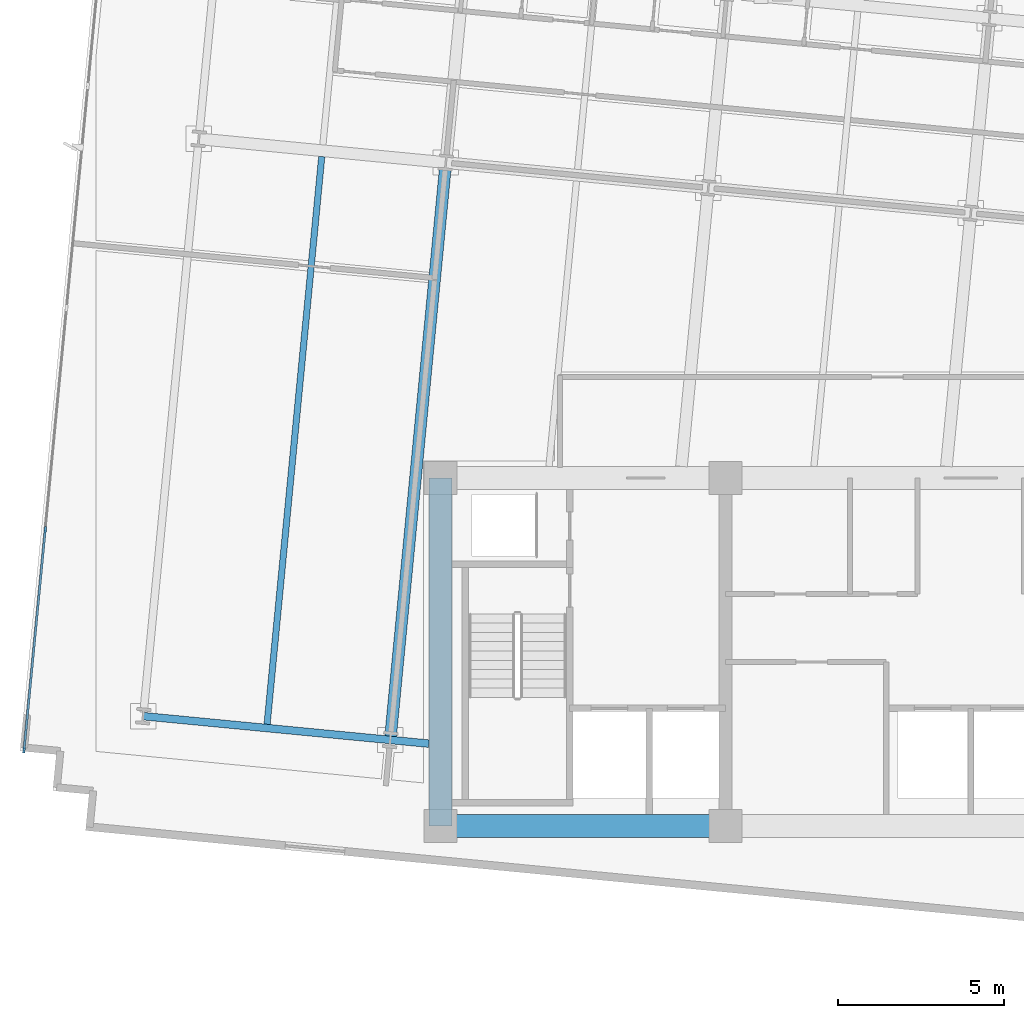
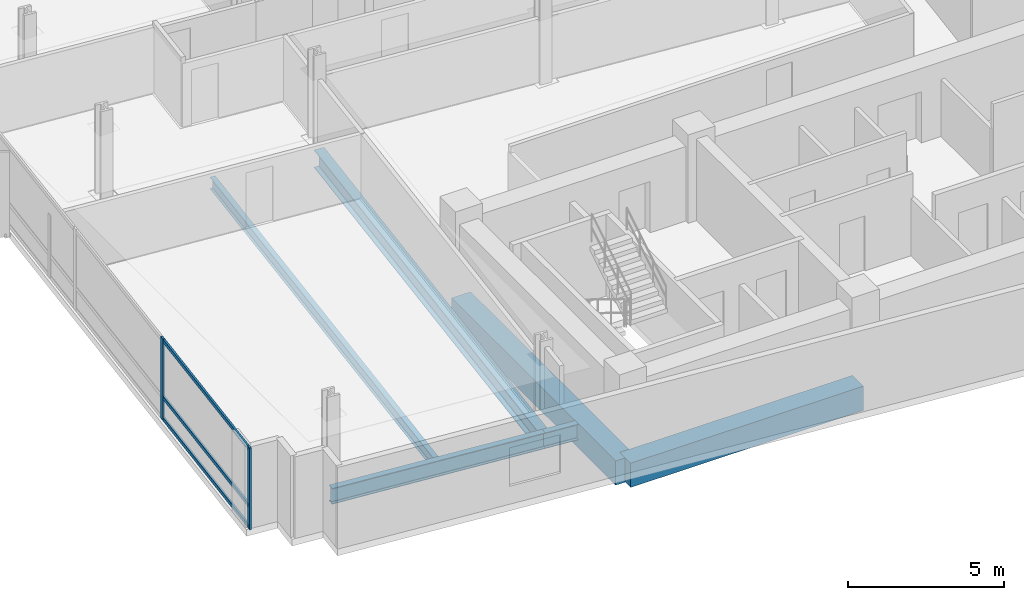
# One storey, part 2 of 17: 6 beams, 5 members, 1 element without a shape of its own.
"""IFC4 building model written with IfcOpenShell, lengths in metres."""

from ifc_helpers import new_model, si_unit, direction, frame, origin, origin_2d, place, context, subcontext, project, spatial, rectangle, i_section, extrude, material, material_profile, profile_set, type_object, element, aggregate, save


model = new_model("IFC4")

# Units and contexts
model_context = context("Model", 3, precision=1e-05, world=origin(), true_north=direction((0.0, 1.0)))
body_context = subcontext(model_context, "Body", "Model", "MODEL_VIEW")
ifc_project = project(units=[si_unit("LENGTHUNIT", "METRE"), si_unit("AREAUNIT", "SQUARE_METRE"), si_unit("VOLUMEUNIT", "CUBIC_METRE"), si_unit("PLANEANGLEUNIT", "RADIAN"), si_unit("MASSUNIT", "GRAM", prefix="KILO")], contexts=[model_context])

# Site, building, storey
site_placement = place(None, origin())
site = spatial("IfcSite", under=ifc_project, at=site_placement, CompositionType="ELEMENT")
building_placement = place(site_placement, origin())
building = spatial("IfcBuilding", under=site, at=building_placement, Name="Solmavex Isthmus Hotel", CompositionType="ELEMENT")
storey_placement = place(building_placement, frame((0.0, 0.0, 153.14990234375)))
storey = spatial("IfcBuildingStorey", under=building, at=storey_placement, Name="L41", CompositionType="ELEMENT", Elevation=153.14990234375)

# Beams
ifc_material_1 = material(Name="Steel ASTM A992 Grade 50", Category="steel")
ifc_material_profile_1 = material_profile(ifc_material_1, i_section(OverallWidth=0.354736328125, OverallDepth=0.695556640625, WebThickness=0.015380859375, FlangeThickness=0.02490234375, FilletRadius=0.017822265625, at=origin_2d()), Name="W27X146")
ifc_profile_set_1 = profile_set([ifc_material_profile_1], Name="Steel ASTM A992 Grade 50")
beam_type_1 = type_object("IfcBeamType", Name="BM-BG-W27X146", PredefinedType="BEAM", material=ifc_profile_set_1)
beam_1_placement = place(storey_placement, frame((-17.503662109375, -10.289306640625, -0.607666015625), z_axis=(0.095840821687, 0.99539667314, 0.0), x_axis=(-0.99539667314, 0.095840821687, 0.0)))
element("IfcBeam", 1, at=beam_1_placement, inside=storey, type_object=beam_type_1, Name="Floor Beam L41-VG24", PredefinedType="BEAM", context=body_context, shape_type="SweptSolid", body=[
    extrude(i_section(OverallWidth=0.354736328125, OverallDepth=0.695556640625, WebThickness=0.015380859375, FlangeThickness=0.02490234375, FilletRadius=0.017822265625, at=origin_2d()), origin(), (0.0, 0.0, 1.0), 17.207275390625),
])
ifc_material_profile_2 = material_profile(ifc_material_1, i_section(OverallWidth=0.1904296875, OverallDepth=0.456787109375, WebThickness=0.009033203125, FlangeThickness=0.014404296875, FilletRadius=0.0126953125, at=origin_2d()), Name="W18X50")
ifc_profile_set_2 = profile_set([ifc_material_profile_2], Name="Steel ASTM A992 Grade 50")
beam_type_2 = type_object("IfcBeamType", Name="BM-BJ-W18X50", PredefinedType="JOIST", material=ifc_profile_set_2)
beam_2_placement = place(storey_placement, frame((-21.23046875, -9.930419921875, -0.48828125), z_axis=(0.095840821687, 0.99539667314, 0.0), x_axis=(-0.99539667314, 0.095840821687, 0.0)))
element("IfcBeam", 2, at=beam_2_placement, inside=storey, type_object=beam_type_2, Name="Secondary Floor Joist L41-J01", PredefinedType="JOIST", context=body_context, shape_type="SweptSolid", body=[
    extrude(i_section(OverallWidth=0.1904296875, OverallDepth=0.456787109375, WebThickness=0.009033203125, FlangeThickness=0.014404296875, FilletRadius=0.0126953125, at=origin_2d()), origin(), (0.0, 0.0, 1.0), 17.207275390625),
])
ifc_material_2 = material(Name="Concrete C60/75", Category="concrete")
ifc_material_profile_3 = material_profile(ifc_material_2, rectangle(XDim=0.699951171875, YDim=0.949951171875, at=origin_2d()), Name="RC700X950")
ifc_profile_set_3 = profile_set([ifc_material_profile_3], Name="Concrete C60/75")
beam_type_3 = type_object("IfcBeamType", Name="BM-CB-700X950", PredefinedType="BEAM", material=ifc_profile_set_3)
beam_3_placement = place(storey_placement, frame((-16.0, -13.0, -0.73486328125), z_axis=(1.0, 0.0, 0.0), x_axis=(0.0, 1.0, 0.0)))
element("IfcBeam", 3, at=beam_3_placement, inside=storey, type_object=beam_type_3, Name="Core Coupling Beam L41-CB1", PredefinedType="BEAM", context=body_context, shape_type="SweptSolid", body=[
    extrude(rectangle(XDim=0.699951171875, YDim=0.949951171875, at=origin_2d()), origin(), (0.0, 0.0, 1.0), 8.60009765625),
])
beam_4_placement = place(storey_placement, frame((-16.0, -13.0, -0.73486328125), z_axis=(0.0, 1.0, 0.0), x_axis=(-1.0, 0.0, 0.0)))
element("IfcBeam", 4, at=beam_4_placement, inside=storey, type_object=beam_type_3, Name="Core Coupling Beam L41-CB7", PredefinedType="BEAM", context=body_context, shape_type="SweptSolid", body=[
    extrude(rectangle(XDim=0.699951171875, YDim=0.949951171875, at=origin_2d()), origin(), (0.0, 0.0, 1.0), 10.5),
])
ifc_material_profile_4 = material_profile(ifc_material_1, i_section(OverallWidth=0.230224609375, OverallDepth=0.617431640625, WebThickness=0.01318359375, FlangeThickness=0.022216796875, FilletRadius=0.01513671875, at=origin_2d()), Name="W24X94")
ifc_profile_set_4 = profile_set([ifc_material_profile_4], Name="Steel ASTM A992 Grade 50")
beam_type_4 = type_object("IfcBeamType", Name="BM-SP-W24X94", PredefinedType="SPANDREL", material=ifc_profile_set_4)
beam_5_placement = place(storey_placement, frame((-24.96826171875, -9.686279296875, -0.568603515625), z_axis=(0.995395279593, -0.095855293875, 0.0), x_axis=(0.095855293875, 0.995395279593, 0.0)))
element("IfcBeam", 5, at=beam_5_placement, inside=storey, type_object=beam_type_4, Name="Floor Girder L41-UG01", PredefinedType="SPANDREL", context=body_context, shape_type="SweptSolid", body=[
    extrude(i_section(OverallWidth=0.230224609375, OverallDepth=0.617431640625, WebThickness=0.01318359375, FlangeThickness=0.022216796875, FilletRadius=0.01513671875, at=origin_2d()), origin(), (0.0, 0.0, 1.0), 7.488037109375),
])
beam_6_placement = place(storey_placement, frame((-17.5146484375, -10.404052734375, -0.568603515625), z_axis=(0.995402144456, -0.095783979938, 0.0), x_axis=(0.095783979938, 0.995402144456, 0.0)))
element("IfcBeam", 6, at=beam_6_placement, inside=storey, type_object=beam_type_4, Name="Floor Girder L41-UG02", PredefinedType="SPANDREL", context=body_context, shape_type="SweptSolid", body=[
    extrude(i_section(OverallWidth=0.230224609375, OverallDepth=0.617431640625, WebThickness=0.01318359375, FlangeThickness=0.022216796875, FilletRadius=0.01513671875, at=origin_2d()), origin(), (0.0, 0.0, 1.0), 1.169921875),
])

# Curtain wall, members
ifc_material_3 = material(Name="Aluminium alloy 6063-T6", Category="aluminium")
curtain_wall_type = type_object("IfcCurtainWallType", Name="CW-SYS-03", PredefinedType="NOTDEFINED", material=ifc_material_3)
curtain_wall_placement = place(storey_placement, origin())
curtain_wall = element("IfcCurtainWall", 7, at=curtain_wall_placement, inside=storey, type_object=curtain_wall_type, Name="Stick Curtain Wall CWL-L41-W1", PredefinedType="NOTDEFINED")
ifc_material_profile_5 = material_profile(ifc_material_3, rectangle(XDim=0.070068359375, YDim=0.179931640625, at=origin_2d()), Name="CWM-70X180")
ifc_profile_set_5 = profile_set([ifc_material_profile_5], Name="Aluminium alloy 6063-T6")
member_type_1 = type_object("IfcMemberType", Name="CW-SYS-03-MUL", PredefinedType="MULLION", material=ifc_profile_set_5)
member_1_placement = place(storey_placement, frame((-28.56298828125, -10.71142578125, 0.0), z_axis=(0.0, 0.0, 1.0), x_axis=(-0.995396190038, 0.09584583902, 0.0)))
member_1 = element("IfcMember", 8, at=member_1_placement, type_object=member_type_1, Name="CW-03 mullion 1", PredefinedType="MULLION", context=body_context, shape_type="SweptSolid", body=[
    extrude(rectangle(XDim=0.070068359375, YDim=0.179931640625, at=origin_2d()), origin(), (0.0, 0.0, 1.0), 3.190185546875),
])
member_2_placement = place(storey_placement, frame((-27.92236328125, -4.057373046875, 0.0), z_axis=(0.0, 0.0, 1.0), x_axis=(-0.995396190038, 0.09584583902, 0.0)))
member_2 = element("IfcMember", 9, at=member_2_placement, type_object=member_type_1, Name="CW-03 mullion 2", PredefinedType="MULLION", context=body_context, shape_type="SweptSolid", body=[
    extrude(rectangle(XDim=0.070068359375, YDim=0.179931640625, at=origin_2d()), origin(), (0.0, 0.0, 1.0), 3.190185546875),
])
ifc_material_profile_6 = material_profile(ifc_material_3, rectangle(XDim=0.070068359375, YDim=0.139892578125, at=origin_2d()), Name="CWT-70X140")
ifc_profile_set_6 = profile_set([ifc_material_profile_6], Name="Aluminium alloy 6063-T6")
member_type_2 = type_object("IfcMemberType", Name="CW-SYS-03-TRN", PredefinedType="USERDEFINED", material=ifc_profile_set_6)
member_3_placement = place(storey_placement, frame((-28.559814453125, -10.6767578125, 0.070068359375), z_axis=(0.095845316679, 0.995396240334, 0.0), x_axis=(-0.995396240334, 0.095845316679, 0.0)))
member_3 = element("IfcMember", 10, at=member_3_placement, type_object=member_type_2, Name="CW-03 transom 1.1", ObjectType="TRANSOM", PredefinedType="USERDEFINED", context=body_context, shape_type="SweptSolid", body=[
    extrude(rectangle(XDim=0.070068359375, YDim=0.139892578125, at=origin_2d()), origin(), (0.0, 0.0, 1.0), 6.615234375),
])
member_4_placement = place(storey_placement, frame((-28.559814453125, -10.6767578125, 0.900146484375), z_axis=(0.095845316679, 0.995396240334, 0.0), x_axis=(-0.995396240334, 0.095845316679, 0.0)))
member_4 = element("IfcMember", 11, at=member_4_placement, type_object=member_type_2, Name="CW-03 transom 1.2", ObjectType="TRANSOM", PredefinedType="USERDEFINED", context=body_context, shape_type="SweptSolid", body=[
    extrude(rectangle(XDim=0.070068359375, YDim=0.139892578125, at=origin_2d()), origin(), (0.0, 0.0, 1.0), 6.615234375),
])
member_5_placement = place(storey_placement, frame((-28.559814453125, -10.6767578125, 3.1201171875), z_axis=(0.095845316679, 0.995396240334, 0.0), x_axis=(-0.995396240334, 0.095845316679, 0.0)))
member_5 = element("IfcMember", 12, at=member_5_placement, type_object=member_type_2, Name="CW-03 transom 1.3", ObjectType="TRANSOM", PredefinedType="USERDEFINED", context=body_context, shape_type="SweptSolid", body=[
    extrude(rectangle(XDim=0.070068359375, YDim=0.139892578125, at=origin_2d()), origin(), (0.0, 0.0, 1.0), 6.615234375),
])
aggregate(curtain_wall, [member_1, member_2, member_3, member_4, member_5])

save(model, "model.ifc")
